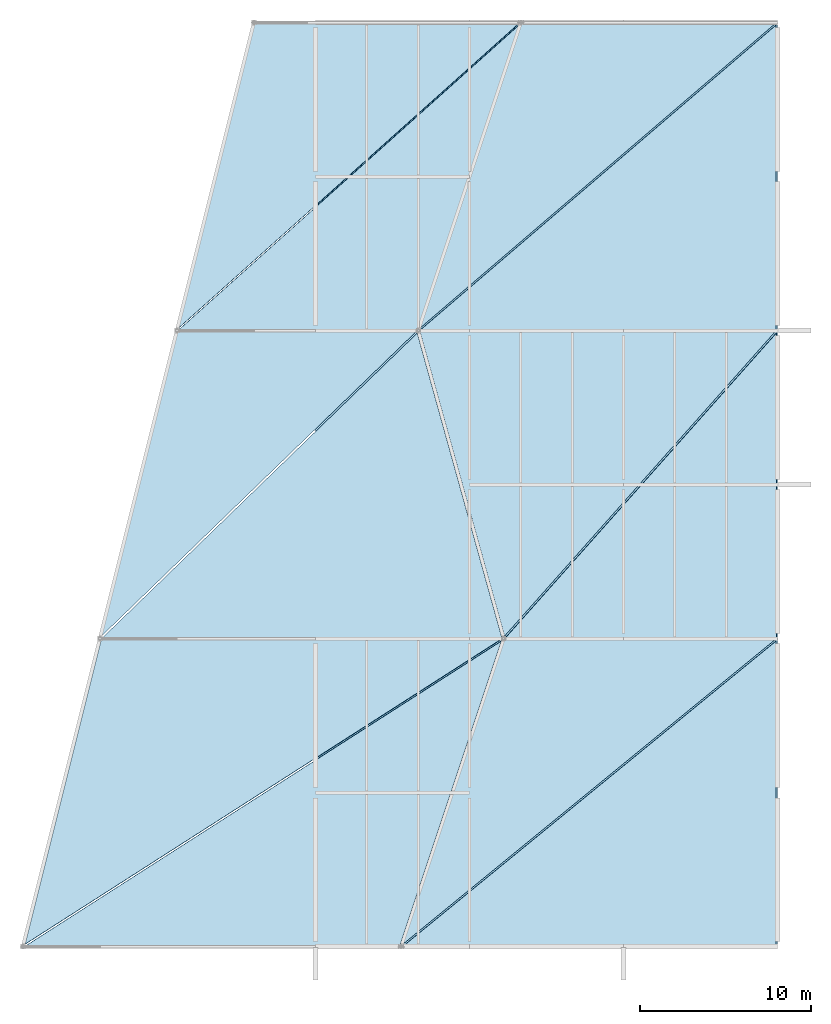
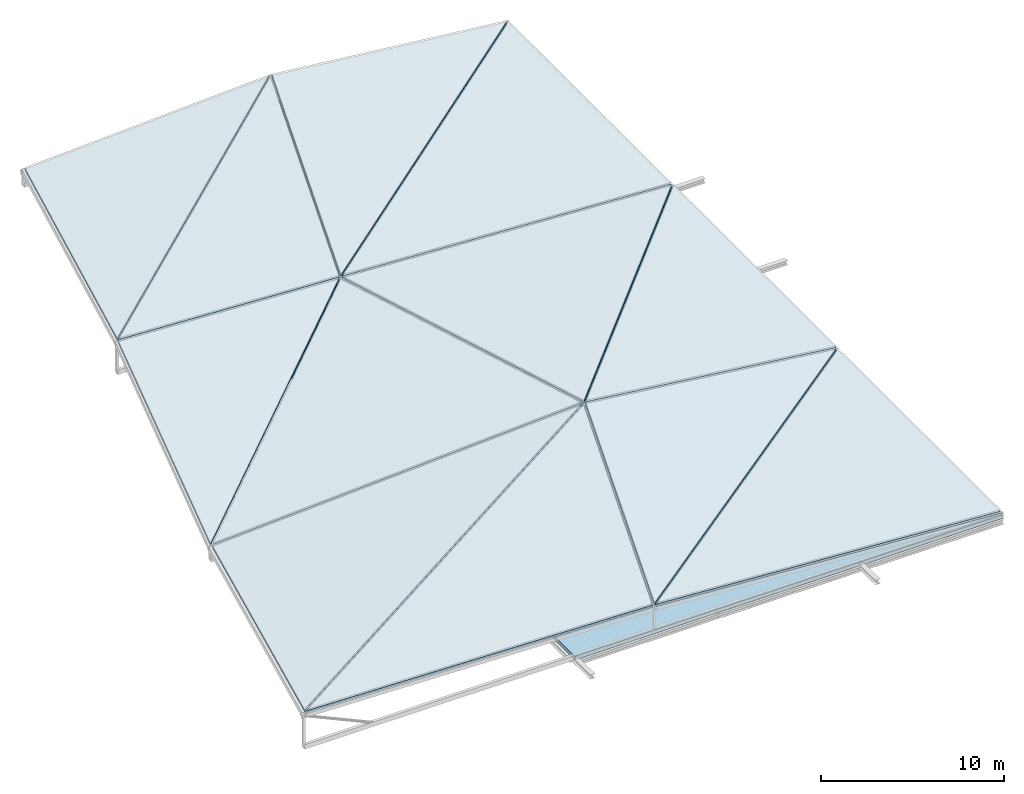
# One storey, part 14 of 18: 13 slabs.
"""IFC4 building model written with IfcOpenShell, lengths in metres."""

import ifcopenshell
import ifcopenshell.guid

model = None  # the IFC model being written
_history = None  # IfcOwnerHistory: only IFC2X3 demands one
_inside = {}  # id of a spatial element -> (the spatial element, [elements in it])
_under = {}  # id of a project, library or spatial element -> (it, [spatial elements below it])
_declared = {}  # id of a project -> (the project, [libraries it declares])
_typed = {}  # id of a type object -> (the type object, [elements of that type])
_made_of = {}  # id of a material, layer set ... -> (it, [elements and type objects made of it])


def new_model(schema):
    """Start an empty IFC model of exactly this schema.

    Asked for "IFC4X3", IfcOpenShell would pick the latest addendum, in which some entities
    have other attributes; the version numbers below select the first issue.
    IFC2X3 requires an IfcOwnerHistory on every rooted entity: one is made here for all.
    """
    global model, _history
    if schema == "IFC4X3":
        model = ifcopenshell.file(schema_version=(4, 3, 0, 0))
    else:
        model = ifcopenshell.file(schema=schema)
    _inside.clear()
    _under.clear()
    _declared.clear()
    _typed.clear()
    _made_of.clear()
    _history = None
    if model.schema == "IFC2X3":
        org = make("IfcOrganization", Name="unknown")
        user = make(
            "IfcPersonAndOrganization",
            ThePerson=make("IfcPerson", FamilyName="unknown"),
            TheOrganization=org,
        )
        app = make(
            "IfcApplication",
            ApplicationDeveloper=org,
            Version="unknown",
            ApplicationFullName="unknown",
            ApplicationIdentifier="unknown",
        )
        _history = make(
            "IfcOwnerHistory",
            OwningUser=user,
            OwningApplication=app,
            ChangeAction="ADDED",
            CreationDate=0,
        )
    return model


def make(cls, **values):
    """One entity of the class cls with the attributes given. An attribute that is None is left unset."""
    return model.create_entity(
        cls, **{name: value for name, value in values.items() if value is not None}
    )


def rooted(cls, **values):
    """An entity with a GlobalId (a new one), such as an element, a storey or a relation."""
    return make(cls, GlobalId=ifcopenshell.guid.new(), OwnerHistory=_history, **values)


def si_unit(unit_type, name, prefix=None):
    """IfcSIUnit, for example si_unit("LENGTHUNIT", "METRE", prefix="MILLI")."""
    return make("IfcSIUnit", UnitType=unit_type, Prefix=prefix, Name=name)


def assignment(units):
    """IfcUnitAssignment: the units of a project."""
    return None if units is None else make("IfcUnitAssignment", Units=units)


def point(xyz):
    """IfcCartesianPoint."""
    return None if xyz is None else make("IfcCartesianPoint", Coordinates=xyz)


def direction(xyz):
    """IfcDirection."""
    return None if xyz is None else make("IfcDirection", DirectionRatios=xyz)


def frame(location, z_axis=None, x_axis=None):
    """IfcAxis2Placement3D, a coordinate frame: its origin and axes. An axis left out is left unset."""
    return make(
        "IfcAxis2Placement3D",
        Location=point(location),
        Axis=direction(z_axis),
        RefDirection=direction(x_axis),
    )


def origin():
    """The frame at (0, 0, 0) with its axes left unset."""
    return frame((0.0, 0.0, 0.0))


def place(relative_to, where):
    """IfcLocalPlacement: puts the frame where relative to a parent placement (None: the world)."""
    return make(
        "IfcLocalPlacement", PlacementRelTo=relative_to, RelativePlacement=where
    )


def context(
    kind, dimensions, precision=None, world=None, true_north=None, identifier=None
):
    """IfcGeometricRepresentationContext, for example the 3D "Model" context."""
    return make(
        "IfcGeometricRepresentationContext",
        ContextIdentifier=identifier,
        ContextType=kind,
        CoordinateSpaceDimension=dimensions,
        Precision=precision,
        WorldCoordinateSystem=world,
        TrueNorth=true_north,
    )


def subcontext(parent, identifier, kind, view, scale=None):
    """IfcGeometricRepresentationSubContext, for example "Body" below "Model"."""
    return make(
        "IfcGeometricRepresentationSubContext",
        ContextIdentifier=identifier,
        ContextType=kind,
        ParentContext=parent,
        TargetScale=scale,
        TargetView=view,
    )


def project(units=None, contexts=None):
    """IfcProject with its units and contexts."""
    return rooted(
        "IfcProject",
        Name="project",
        RepresentationContexts=contexts,
        UnitsInContext=assignment(units),
    )


def spatial(cls, under=None, at=None, **own):
    """A site, building, storey or space (cls), placed at a placement, below another one or the project."""
    s = rooted(cls, ObjectPlacement=at, **own)
    if under is not None:
        _under.setdefault(under.id(), (under, []))[1].append(s)
    return s


def polyline(points):
    """IfcPolyline through the points."""
    return make("IfcPolyline", Points=[point(p) for p in points])


def outline(outer, holes=None, kind="AREA"):
    """IfcArbitraryClosedProfileDef: a profile drawn as a closed curve; with holes, ...WithVoids."""
    if holes is None:
        return make("IfcArbitraryClosedProfileDef", ProfileType=kind, OuterCurve=outer)
    return make(
        "IfcArbitraryProfileDefWithVoids",
        ProfileType=kind,
        OuterCurve=outer,
        InnerCurves=holes,
    )


def extrude(swept, where, along, depth):
    """IfcExtrudedAreaSolid: the profile swept, set in the frame where, extruded along a direction by depth."""
    return make(
        "IfcExtrudedAreaSolid",
        SweptArea=swept,
        Position=where,
        ExtrudedDirection=direction(along),
        Depth=depth,
    )


def shape(context_of_items, identifier, shape_type, items):
    """IfcShapeRepresentation: the items that make up one representation, for example the "Body"."""
    return make(
        "IfcShapeRepresentation",
        ContextOfItems=context_of_items,
        RepresentationIdentifier=identifier,
        RepresentationType=shape_type,
        Items=items,
    )


def material(Name=None, Category=None):
    """IfcMaterial."""
    return make("IfcMaterial", Name=Name, Category=Category)


def layer(
    of_material, thickness, ventilated=None, Name=None, Category=None, Priority=None
):
    """IfcMaterialLayer: one layer of a wall or slab, of a material (None: an air gap)."""
    return make(
        "IfcMaterialLayer",
        Material=of_material,
        LayerThickness=thickness,
        IsVentilated=ventilated,
        Name=Name,
        Category=Category,
        Priority=Priority,
    )


def layer_set(layers, Name=None):
    """IfcMaterialLayerSet."""
    return make("IfcMaterialLayerSet", MaterialLayers=layers, LayerSetName=Name)


def made_of(thing, what):
    """Note that an element or type object is made of a material, layer set ...; save() writes the relation."""
    if what is not None:
        _made_of.setdefault(what.id(), (what, []))[1].append(thing)
    return thing


def type_object(cls, material=None, **own):
    """A type object (cls), such as IfcWallType, which elements share."""
    return made_of(rooted(cls, **own), material)


def element(
    cls,
    number,
    at=None,
    inside=None,
    cuts=None,
    type_object=None,
    material=None,
    context=None,
    identifier="Body",
    shape_type=None,
    held_by="IfcProductDefinitionShape",
    body=None,
    shapes=None,
    **own,
):
    """One element of the class cls, such as IfcWall. Its Tag is "e" and its number.

    at: its placement. inside: the storey or other place that contains it. cuts: it is an
    opening in that element (IfcRelVoidsElement). A single representation is given by context,
    identifier, shape_type and body (its items); several are given by shapes. held_by: the class
    of the entity that holds the representations. save() writes the other relations.
    """
    e = rooted(cls, Tag="e%d" % number, ObjectPlacement=at, **own)
    if body is not None:
        shapes = [shape(context, identifier, shape_type, body)]
    if shapes is not None:
        e.Representation = make(held_by, Representations=shapes)
    if inside is not None:
        _inside.setdefault(inside.id(), (inside, []))[1].append(e)
    if cuts is not None:
        rooted(
            "IfcRelVoidsElement", RelatingBuildingElement=cuts, RelatedOpeningElement=e
        )
    if type_object is not None:
        _typed.setdefault(type_object.id(), (type_object, []))[1].append(e)
    return made_of(e, material)


def aggregate(whole, parts):
    """IfcRelAggregates: a whole, such as a stair, and the parts it consists of."""
    return rooted("IfcRelAggregates", RelatingObject=whole, RelatedObjects=parts)


def save(model, path):
    """Write the relations noted so far, then the file.

    IfcRelAggregates (storeys below a building ...), IfcRelContainedInSpatialStructure (elements
    in a storey), IfcRelDefinesByType, IfcRelAssociatesMaterial and IfcRelDeclares: one each for
    every whole, place, type object, material and project.
    """
    for whole, parts in _under.values():
        aggregate(whole, parts)
    for where, things in _inside.values():
        rooted(
            "IfcRelContainedInSpatialStructure",
            RelatedElements=things,
            RelatingStructure=where,
        )
    for kind, things in _typed.values():
        rooted("IfcRelDefinesByType", RelatedObjects=things, RelatingType=kind)
    for what, things in _made_of.values():
        rooted("IfcRelAssociatesMaterial", RelatedObjects=things, RelatingMaterial=what)
    for by, libraries in _declared.values():
        rooted("IfcRelDeclares", RelatingContext=by, RelatedDefinitions=libraries)
    model.write(path)


model = new_model("IFC4")

# Units and contexts
model_context = context("Model", 3, precision=1e-05, world=origin(), true_north=direction((0.0, 1.0)))
body_context = subcontext(model_context, "Body", "Model", "MODEL_VIEW")
ifc_project = project(units=[si_unit("LENGTHUNIT", "METRE"), si_unit("AREAUNIT", "SQUARE_METRE"), si_unit("VOLUMEUNIT", "CUBIC_METRE"), si_unit("PLANEANGLEUNIT", "RADIAN"), si_unit("MASSUNIT", "GRAM", prefix="KILO")], contexts=[model_context])

# Site, building, storey
site_placement = place(None, origin())
site = spatial("IfcSite", under=ifc_project, at=site_placement, CompositionType="ELEMENT")
building_placement = place(site_placement, origin())
building = spatial("IfcBuilding", under=site, at=building_placement, Name="Deido Ridge Mobility Hub", CompositionType="ELEMENT")
storey_placement = place(building_placement, frame((0.0, 0.0, 29.39990234375)))
storey = spatial("IfcBuildingStorey", under=building, at=storey_placement, Name="RF", CompositionType="ELEMENT", Elevation=29.39990234375)

# Slabs
ifc_material = material(Name="Concrete C35/45", Category="concrete")
ifc_layer_1 = layer(ifc_material, 0.139892578125, Name="Concrete C35/45")
ifc_layer_set_1 = layer_set([ifc_layer_1], Name="Concrete C35/45")
slab_type_1 = type_object("IfcSlabType", Name="SLB-ROOF-140", PredefinedType="ROOF", material=ifc_layer_set_1)
slab_1_placement = place(storey_placement, frame((136.100830078125, 0.072021484375, 2.247314453125), z_axis=(0.027119844211, -0.036782990012, 0.998955217062), x_axis=(0.999631690973, 0.0, -0.027138209266)))
element("IfcSlab", 1, at=slab_1_placement, inside=storey, type_object=slab_type_1, Name="Service Centre fractured crystal roof facet 1", PredefinedType="ROOF", context=body_context, shape_type="SweptSolid", body=[
    extrude(outline(polyline([(0.0, 0.0), (21.84276168317415, 3.469446951953614e-18), (27.755153404652308, 17.795978497576083), (0.0, 0.0)])), origin(), (0.0, 0.0, -1.0), 0.139892578125),
])
slab_2_placement = place(storey_placement, frame((136.030517578125, 0.14404296875, 2.244140625), z_axis=(-0.054773765198, 0.091036355177, 0.994340091056), x_axis=(0.84204981993, 0.539391422783, -0.002998963884)))
element("IfcSlab", 2, at=slab_2_placement, inside=storey, type_object=slab_type_1, Name="Service Centre fractured crystal roof facet 2", PredefinedType="ROOF", context=body_context, shape_type="SweptSolid", body=[
    extrude(outline(polyline([(0.0, 0.0), (32.97037141437708, -1.8214596497756474e-15), (13.340236513684962, 12.648522401147128), (0.0, 0.0)])), origin(), (0.0, 0.0, -1.0), 0.139892578125),
])
slab_3_placement = place(storey_placement, frame((158.176025390625, 0.072021484375, 1.638671875), z_axis=(0.064862953664, 0.0, 0.997894181385), x_axis=(0.997894181385, 0.0, -0.064862953664)))
element("IfcSlab", 3, at=slab_3_placement, inside=storey, type_object=slab_type_1, Name="Service Centre fractured crystal roof facet 3", PredefinedType="ROOF", context=body_context, shape_type="SweptSolid", body=[
    extrude(outline(polyline([(0.0, 0.0), (21.78195282610814, 0.0), (21.78195282610814, 17.783935546875004), (0.0, 0.0)])), origin(), (0.0, 0.0, -1.0), 0.139892578125),
])
slab_4_placement = place(storey_placement, frame((158.112060546875, 0.14404296875, 1.646484375), z_axis=(0.119494873699, -0.067341191987, 0.990548403169), x_axis=(0.772978270517, 0.632439134666, -0.050252703917)))
element("IfcSlab", 4, at=slab_4_placement, inside=storey, type_object=slab_type_1, Name="Service Centre fractured crystal roof facet 4", PredefinedType="ROOF", context=body_context, shape_type="SweptSolid", body=[
    extrude(outline(polyline([(0.0, 0.0), (28.119600088111397, 1.2490009027033011e-15), (15.804635755096108, 10.092904200631821), (0.0, 0.0)])), origin(), (0.0, 0.0, -1.0), 0.139892578125),
])
slab_5_placement = place(storey_placement, frame((140.56884765625, 18.072021484375, 0.857177734375), z_axis=(-0.054979470557, 0.029080053458, 0.99806392997), x_axis=(0.998486203947, 0.0, 0.055002731993)))
element("IfcSlab", 5, at=slab_5_placement, inside=storey, type_object=slab_type_1, Name="Service Centre fractured crystal roof facet 5", PredefinedType="ROOF", context=body_context, shape_type="SweptSolid", body=[
    extrude(outline(polyline([(0.0, 0.0), (23.352000556887802, 0.0), (18.376069479218692, 17.791459807559793), (0.0, 0.0)])), origin(), (0.0, 0.0, -1.0), 0.139892578125),
])
slab_6_placement = place(storey_placement, frame((140.492431640625, 18.14404296875, 0.85693359375), z_axis=(0.0494344706, -0.078734001386, 0.995669217231), x_axis=(0.718467697097, 0.695292243489, 0.019309696314)))
element("IfcSlab", 6, at=slab_6_placement, inside=storey, type_object=slab_type_1, Name="Service Centre fractured crystal roof facet 6", PredefinedType="ROOF", context=body_context, shape_type="SweptSolid", body=[
    extrude(outline(polyline([(0.0, 0.0), (25.577641219805457, 1.519617764955683e-15), (15.582264650782959, 9.728012578554615), (0.0, 0.0)])), origin(), (0.0, 0.0, -1.0), 0.139892578125),
])
slab_7_placement = place(storey_placement, frame((164.1279296875, 18.072021484375, 2.134765625), z_axis=(0.119764920401, 0.0, 0.992802278322), x_axis=(0.992802278322, 0.0, -0.119764920401)))
element("IfcSlab", 7, at=slab_7_placement, inside=storey, type_object=slab_type_1, Name="Service Centre fractured crystal roof facet 7", PredefinedType="ROOF", context=body_context, shape_type="SweptSolid", body=[
    extrude(outline(polyline([(0.0, 0.0), (15.92271272329134, 0.0), (15.92271272329134, 17.783935546875), (0.0, 0.0)])), origin(), (0.0, 0.0, -1.0), 0.139892578125),
])
slab_8_placement = place(storey_placement, frame((164.0439453125, 18.14404296875, 2.13916015625), z_axis=(0.053649854211, 0.059198606324, 0.996803500271), x_axis=(0.662244204528, 0.745017059312, -0.079888640642)))
element("IfcSlab", 8, at=slab_8_placement, inside=storey, type_object=slab_type_1, Name="Service Centre fractured crystal roof facet 8", PredefinedType="ROOF", context=body_context, shape_type="SweptSolid", body=[
    extrude(outline(polyline([(0.0, 0.0), (23.87050782878044, 3.245233942683612e-15), (10.041022447944593, 15.507217686406607), (0.0, 0.0)])), origin(), (0.0, 0.0, -1.0), 0.139892578125),
])
slab_9_placement = place(storey_placement, frame((145.036865234375, 36.072021484375, 2.04638671875), z_axis=(0.0495224634, -0.044218272054, 0.99779370114), x_axis=(0.998770604799, 0.0, -0.04957094905)))
element("IfcSlab", 9, at=slab_9_placement, inside=storey, type_object=slab_type_1, Name="Service Centre fractured crystal roof facet 9", PredefinedType="ROOF", context=body_context, shape_type="SweptSolid", body=[
    extrude(outline(polyline([(0.0, 0.0), (13.947811434944484, 6.938893903907228e-18), (19.844019204767026, 17.801347153782437), (0.0, 0.0)])), origin(), (0.0, 0.0, -1.0), 0.139892578125),
])
slab_10_placement = place(storey_placement, frame((144.998291015625, 36.14404296875, 2.04541015625), z_axis=(-0.051088089444, 0.068128237319, 0.996367678318), x_axis=(0.744932599686, 0.66709848982, -0.007418005529)))
element("IfcSlab", 10, at=slab_10_placement, inside=storey, type_object=slab_type_1, Name="Service Centre fractured crystal roof facet 10", PredefinedType="ROOF", context=body_context, shape_type="SweptSolid", body=[
    extrude(outline(polyline([(0.0, 0.0), (26.658635596200092, -1.7694179454963432e-15), (15.182969613080513, 10.319366746099812), (0.0, 0.0)])), origin(), (0.0, 0.0, -1.0), 0.139892578125),
])
slab_11_placement = place(storey_placement, frame((159.16796875, 36.072021484375, 1.341064453125), z_axis=(0.053732393318, 0.0, 0.998555371478), x_axis=(0.998555371478, 0.0, -0.053732393318)))
element("IfcSlab", 11, at=slab_11_placement, inside=storey, type_object=slab_type_1, Name="Service Centre fractured crystal roof facet 11", PredefinedType="ROOF", context=body_context, shape_type="SweptSolid", body=[
    extrude(outline(polyline([(0.0, 0.0), (20.7780634580961, 0.0), (20.7780634580961, 17.783935546875), (0.0, 0.0)])), origin(), (0.0, 0.0, -1.0), 0.139892578125),
])
slab_12_placement = place(storey_placement, frame((159.10791015625, 36.14404296875, 1.34765625), z_axis=(0.107806408473, -0.063489310297, 0.992142573308), x_axis=(0.758625610799, 0.650246697819, -0.040821741954)))
element("IfcSlab", 12, at=slab_12_placement, inside=storey, type_object=slab_type_1, Name="Service Centre fractured crystal roof facet 12", PredefinedType="ROOF", context=body_context, shape_type="SweptSolid", body=[
    extrude(outline(polyline([(0.0, 0.0), (27.34952073810568, 2.4147350785597155e-15), (16.040899970955863, 9.713019853587355), (0.0, 0.0)])), origin(), (0.0, 0.0, -1.0), 0.139892578125),
])
ifc_layer_2 = layer(ifc_material, 0.239990234375, Name="Concrete C35/45")
ifc_layer_set_2 = layer_set([ifc_layer_2], Name="Concrete C35/45")
slab_type_2 = type_object("IfcSlabType", Name="SLB-ROOF-240", PredefinedType="ROOF", material=ifc_layer_set_2)
slab_13_placement = place(storey_placement, frame((0.0, 0.0, -0.239990234375)))
element("IfcSlab", 13, at=slab_13_placement, inside=storey, type_object=slab_type_2, Name="Mobility Service Centre RF structural tie slab", PredefinedType="ROOF", context=body_context, shape_type="SweptSolid", body=[
    extrude(outline(polyline([(153.0, 0.0), (180.0, 0.0), (180.0, 54.0), (153.0, 54.0), (153.0, 0.0)])), origin(), (0.0, 0.0, 1.0), 0.239990234375),
])

save(model, "model.ifc")
